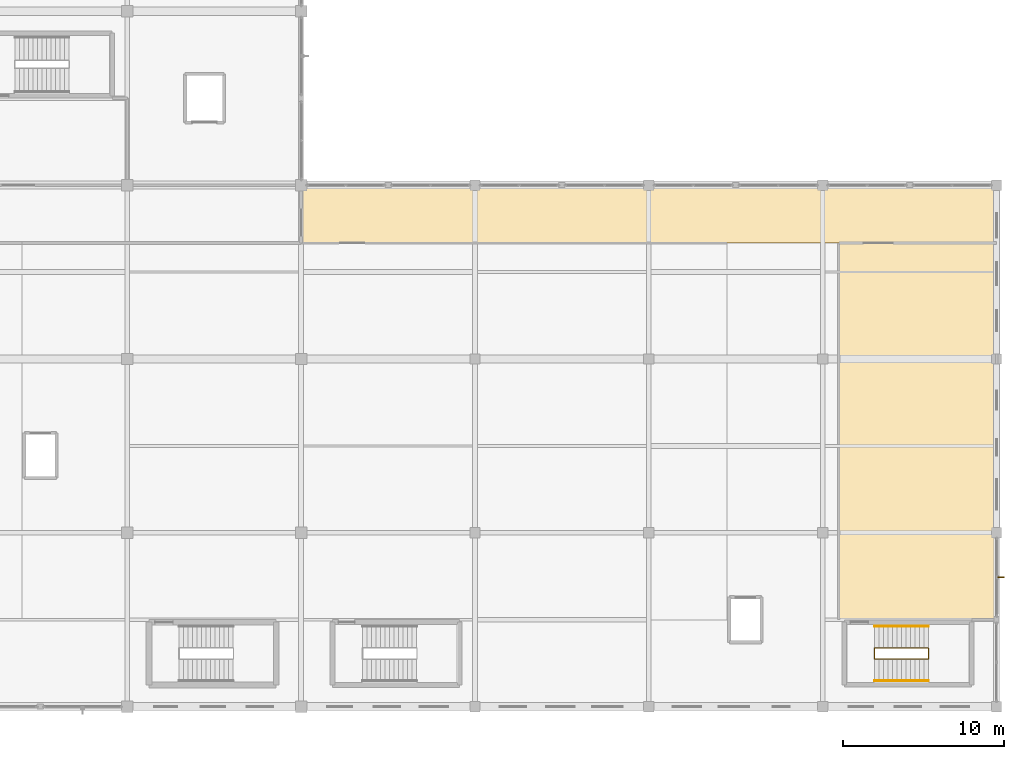
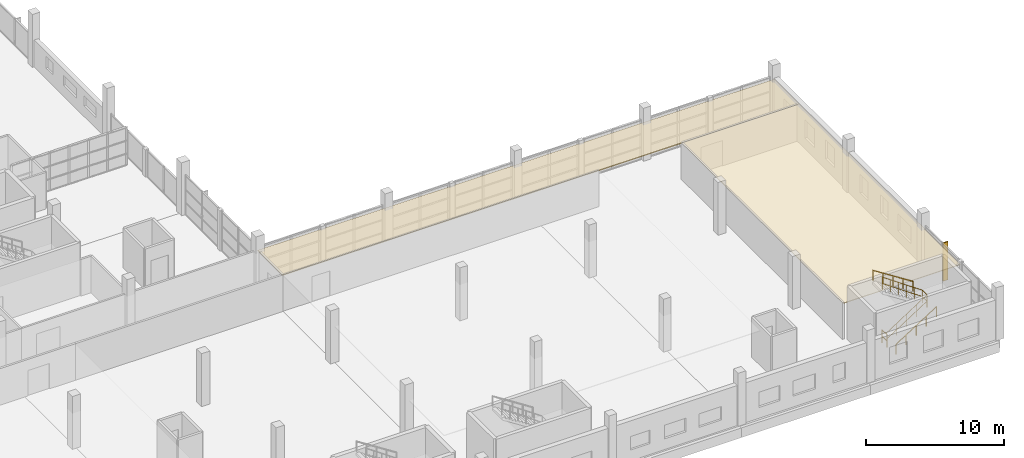
# One storey, part 140 of 142: 4 railings, 2 coverings, 1 shading device.
"""IFC4 building model written with IfcOpenShell, lengths in metres."""

from ifc_helpers import new_model, si_unit, direction, frame, origin, origin_2d, place, context, subcontext, project, spatial, polyline, rectangle, circle, outline, extrude, material, layer, layer_set, type_object, element, save


model = new_model("IFC4")

# Units and contexts
model_context = context("Model", 3, precision=1e-05, world=origin(), true_north=direction((0.0, 1.0)))
body_context = subcontext(model_context, "Body", "Model", "MODEL_VIEW")
ifc_project = project(units=[si_unit("LENGTHUNIT", "METRE"), si_unit("AREAUNIT", "SQUARE_METRE"), si_unit("VOLUMEUNIT", "CUBIC_METRE"), si_unit("PLANEANGLEUNIT", "RADIAN"), si_unit("MASSUNIT", "GRAM", prefix="KILO")], contexts=[model_context])

# Site, building, storey
site_placement = place(None, origin())
site = spatial("IfcSite", under=ifc_project, at=site_placement, CompositionType="ELEMENT")
building_placement = place(site_placement, origin())
building = spatial("IfcBuilding", under=site, at=building_placement, Name="Zwinboog Wholesale Market", CompositionType="ELEMENT")
storey_placement = place(building_placement, frame((0.0, 0.0, 5.39990234375)))
storey = spatial("IfcBuildingStorey", under=building, at=storey_placement, Name="L01", CompositionType="ELEMENT", Elevation=5.39990234375)

# Shading device
ifc_material_1 = material(Name="Western red cedar timber", Category="wood")
shading_device_type = type_object("IfcShadingDeviceType", Name="SHD-FIN-CEDAR", PredefinedType="USERDEFINED", material=ifc_material_1)
shading_device_placement = place(storey_placement, frame((216.2548828125, 8.0400390625, 0.080078125), z_axis=(0.0, 0.0, 1.0), x_axis=(1.0, 0.0, 0.0)))
element("IfcShadingDevice", 1, at=shading_device_placement, inside=storey, type_object=shading_device_type, Name="FN-01 (SHD-FIN-043)", ObjectType="FIN", PredefinedType="USERDEFINED", context=body_context, shape_type="SweptSolid", body=[
    extrude(rectangle(XDim=0.419921875, YDim=0.0849609375, at=origin_2d()), origin(), (0.0, 0.0, 1.0), 3.3798828125),
])

# Railings
ifc_material_2 = material(Name="Steel S355", Category="steel")
railing_type_1 = type_object("IfcRailingType", Name="RLT-INT-GUARD", PredefinedType="BALUSTRADE", material=ifc_material_2)
railing_1_placement = place(storey_placement, frame((208.419921875, 3.639892578125, 0.0)))
element("IfcRailing", 2, at=railing_1_placement, inside=storey, type_object=railing_type_1, Name="GR-02 (RLG-ST-08A-GTOP)", PredefinedType="BALUSTRADE", context=body_context, shape_type="SweptSolid", body=[
    extrude(circle(Radius=0.02392578125, at=origin_2d()), frame((0.0, 0.0, 1.09619140625), z_axis=(0.0, -1.0, 0.0), x_axis=(1.0, 0.0, 0.0)), (0.0, 0.0, 1.0), 0.679931640625),
    extrude(circle(Radius=0.02392578125, at=origin_2d()), frame((0.0, 0.0, 0.5361328125), z_axis=(0.0, -1.0, 0.0), x_axis=(1.0, 0.0, 0.0)), (0.0, 0.0, 1.0), 0.679931640625),
    extrude(circle(Radius=0.02099609375, at=origin_2d()), origin(), (0.0, 0.0, 1.0), 1.072021484375),
    extrude(circle(Radius=0.02099609375, at=origin_2d()), frame((0.0, -0.679931640625, 0.0)), (0.0, 0.0, 1.0), 1.072021484375),
])
railing_2_placement = place(storey_placement, frame((208.419921875, 2.9599609375, 0.18017578125)))
element("IfcRailing", 3, at=railing_2_placement, inside=storey, type_object=railing_type_1, Name="GR-02 (RLG-ST-08B-G1)", PredefinedType="BALUSTRADE", context=body_context, shape_type="SweptSolid", body=[
    extrude(circle(Radius=0.02392578125, at=origin_2d()), frame((0.0, 0.0, 1.09619140625), z_axis=(0.84119634759, 0.0, 0.540729789082), x_axis=(0.0, 1.0, 0.0)), (0.0, 0.0, 1.0), 3.994384765625),
    extrude(circle(Radius=0.02392578125, at=origin_2d()), frame((0.0, 0.0, 0.5361328125), z_axis=(0.84119634759, 0.0, 0.540729789082), x_axis=(0.0, 1.0, 0.0)), (0.0, 0.0, 1.0), 3.994384765625),
    extrude(circle(Radius=0.02392578125, at=origin_2d()), frame((3.360107421875, 0.0, 3.255859375), z_axis=(0.0, 1.0, 0.0), x_axis=(-1.0, 0.0, 0.0)), (0.0, 0.0, 1.0), 0.679931640625),
    extrude(circle(Radius=0.02392578125, at=origin_2d()), frame((3.360107421875, 0.0, 2.69580078125), z_axis=(0.0, 1.0, 0.0), x_axis=(-1.0, 0.0, 0.0)), (0.0, 0.0, 1.0), 0.679931640625),
    extrude(circle(Radius=0.02392578125, at=origin_2d()), frame((3.360107421875, 0.679931640625, 3.255859375), z_axis=(-0.820604917691, 0.0, 0.571495904677), x_axis=(0.0, -1.0, 0.0)), (0.0, 0.0, 1.0), 4.0947265625),
    extrude(circle(Radius=0.02392578125, at=origin_2d()), frame((3.360107421875, 0.679931640625, 2.69580078125), z_axis=(-0.820604917691, 0.0, 0.571495904677), x_axis=(0.0, -1.0, 0.0)), (0.0, 0.0, 1.0), 4.0947265625),
    extrude(circle(Radius=0.02099609375, at=origin_2d()), origin(), (0.0, 0.0, 1.0), 1.072021484375),
    extrude(circle(Radius=0.02099609375, at=origin_2d()), frame((0.840087890625, 0.0, 0.5400390625)), (0.0, 0.0, 1.0), 1.072021484375),
    extrude(circle(Radius=0.02099609375, at=origin_2d()), frame((1.68017578125, 0.0, 1.080078125)), (0.0, 0.0, 1.0), 1.072021484375),
    extrude(circle(Radius=0.02099609375, at=origin_2d()), frame((2.52001953125, 0.0, 1.619873046875)), (0.0, 0.0, 1.0), 1.072021484375),
    extrude(circle(Radius=0.02099609375, at=origin_2d()), frame((3.360107421875, 0.0, 2.159912109375)), (0.0, 0.0, 1.0), 1.072021484375),
    extrude(circle(Radius=0.02099609375, at=origin_2d()), frame((3.360107421875, 0.679931640625, 2.159912109375)), (0.0, 0.0, 1.0), 1.072021484375),
    extrude(circle(Radius=0.02099609375, at=origin_2d()), frame((2.68798828125, 0.679931640625, 2.6279296875)), (0.0, 0.0, 1.0), 1.072021484375),
    extrude(circle(Radius=0.02099609375, at=origin_2d()), frame((2.01611328125, 0.679931640625, 3.095947265625)), (0.0, 0.0, 1.0), 1.072021484375),
    extrude(circle(Radius=0.02099609375, at=origin_2d()), frame((1.343994140625, 0.679931640625, 3.56396484375)), (0.0, 0.0, 1.0), 1.072021484375),
    extrude(circle(Radius=0.02099609375, at=origin_2d()), frame((0.672119140625, 0.679931640625, 4.031982421875)), (0.0, 0.0, 1.0), 1.072021484375),
    extrude(circle(Radius=0.02099609375, at=origin_2d()), frame((0.0, 0.679931640625, 4.5)), (0.0, 0.0, 1.0), 1.072021484375),
])
railing_type_2 = type_object("IfcRailingType", Name="RLT-HANDRAIL", PredefinedType="HANDRAIL", material=ifc_material_2)
railing_3_placement = place(storey_placement, frame((208.419921875, 1.610107421875, 0.18017578125)))
element("IfcRailing", 4, at=railing_3_placement, inside=storey, type_object=railing_type_2, Name="HR-01 (RLG-ST-08B-HR1)", PredefinedType="HANDRAIL", context=body_context, shape_type="SweptSolid", body=[
    extrude(circle(Radius=0.02392578125, at=origin_2d()), frame((0.0, 0.0, 0.8759765625), z_axis=(0.84119634759, 0.0, 0.540729789082), x_axis=(0.0, 1.0, 0.0)), (0.0, 0.0, 1.0), 3.994384765625),
    extrude(circle(Radius=0.02099609375, at=origin_2d()), origin(), (0.0, 0.0, 1.0), 0.851806640625),
    extrude(circle(Radius=0.02099609375, at=origin_2d()), frame((0.840087890625, 0.0, 0.5400390625)), (0.0, 0.0, 1.0), 0.851806640625),
    extrude(circle(Radius=0.02099609375, at=origin_2d()), frame((1.68017578125, 0.0, 1.080078125)), (0.0, 0.0, 1.0), 0.851806640625),
    extrude(circle(Radius=0.02099609375, at=origin_2d()), frame((2.52001953125, 0.0, 1.619873046875)), (0.0, 0.0, 1.0), 0.851806640625),
    extrude(circle(Radius=0.02099609375, at=origin_2d()), frame((3.360107421875, 0.0, 2.159912109375)), (0.0, 0.0, 1.0), 0.851806640625),
])
railing_4_placement = place(storey_placement, frame((211.780029296875, 4.989990234375, 2.52001953125)))
element("IfcRailing", 5, at=railing_4_placement, inside=storey, type_object=railing_type_2, Name="HR-01 (RLG-ST-08B-HR2)", PredefinedType="HANDRAIL", context=body_context, shape_type="SweptSolid", body=[
    extrude(circle(Radius=0.02392578125, at=origin_2d()), frame((0.0, 0.0, 0.8759765625), z_axis=(-0.8411685463, 0.0, 0.540773036232), x_axis=(0.0, -1.0, 0.0)), (0.0, 0.0, 1.0), 3.99462890625),
    extrude(circle(Radius=0.02099609375, at=origin_2d()), origin(), (0.0, 0.0, 1.0), 0.851806640625),
    extrude(circle(Radius=0.02099609375, at=origin_2d()), frame((-0.840087890625, 0.0, 0.5400390625)), (0.0, 0.0, 1.0), 0.851806640625),
    extrude(circle(Radius=0.02099609375, at=origin_2d()), frame((-1.68017578125, 0.0, 1.080078125)), (0.0, 0.0, 1.0), 0.851806640625),
    extrude(circle(Radius=0.02099609375, at=origin_2d()), frame((-2.52001953125, 0.0, 1.6201171875)), (0.0, 0.0, 1.0), 0.851806640625),
    extrude(circle(Radius=0.02099609375, at=origin_2d()), frame((-3.360107421875, 0.0, 2.16015625)), (0.0, 0.0, 1.0), 0.851806640625),
])

# Coverings
ifc_material_3 = material(Name="Western red cedar acoustic baffle ceiling", Category="wood")
ifc_layer_1 = layer(ifc_material_3, 0.080078125)
ifc_layer_set_1 = layer_set([ifc_layer_1], Name="Western red cedar acoustic baffle ceiling")
covering_type_1 = type_object("IfcCoveringType", Name="COV-CEIL-CEDAR", PredefinedType="CEILING", material=ifc_layer_set_1)
covering_1_placement = place(storey_placement, frame((0.0, 0.0, 3.10009765625)))
element("IfcCovering", 6, at=covering_1_placement, inside=storey, type_object=covering_type_1, Name="CL-01 (COV-CL-L01-031)", PredefinedType="CEILING", context=body_context, shape_type="SweptSolid", body=[
    extrude(outline(polyline([(172.800048828125, 28.800048828125), (216.0, 28.800048828125), (216.0, 32.39990234375), (172.800048828125, 32.39990234375), (172.800048828125, 28.800048828125)])), origin(), (0.0, 0.0, 1.0), 0.080078125),
])
ifc_material_4 = material(Name="Hygienic washable acoustic gypsum ceiling")
ifc_layer_2 = layer(ifc_material_4, 0.050048828125)
ifc_layer_set_2 = layer_set([ifc_layer_2], Name="Hygienic washable acoustic gypsum ceiling")
covering_type_2 = type_object("IfcCoveringType", Name="COV-CEIL-HYG", PredefinedType="CEILING", material=ifc_layer_set_2)
covering_2_placement = place(storey_placement, frame((0.0, 0.0, 3.130126953125)))
element("IfcCovering", 7, at=covering_2_placement, inside=storey, type_object=covering_type_2, Name="CL-02 (COV-CL-L01-032)", PredefinedType="CEILING", context=body_context, shape_type="SweptSolid", body=[
    extrude(outline(polyline([(206.199951171875, 5.39990234375), (216.0, 5.39990234375), (216.0, 28.800048828125), (206.199951171875, 28.800048828125), (206.199951171875, 5.39990234375)])), origin(), (0.0, 0.0, 1.0), 0.050048828125),
])

save(model, "model.ifc")
